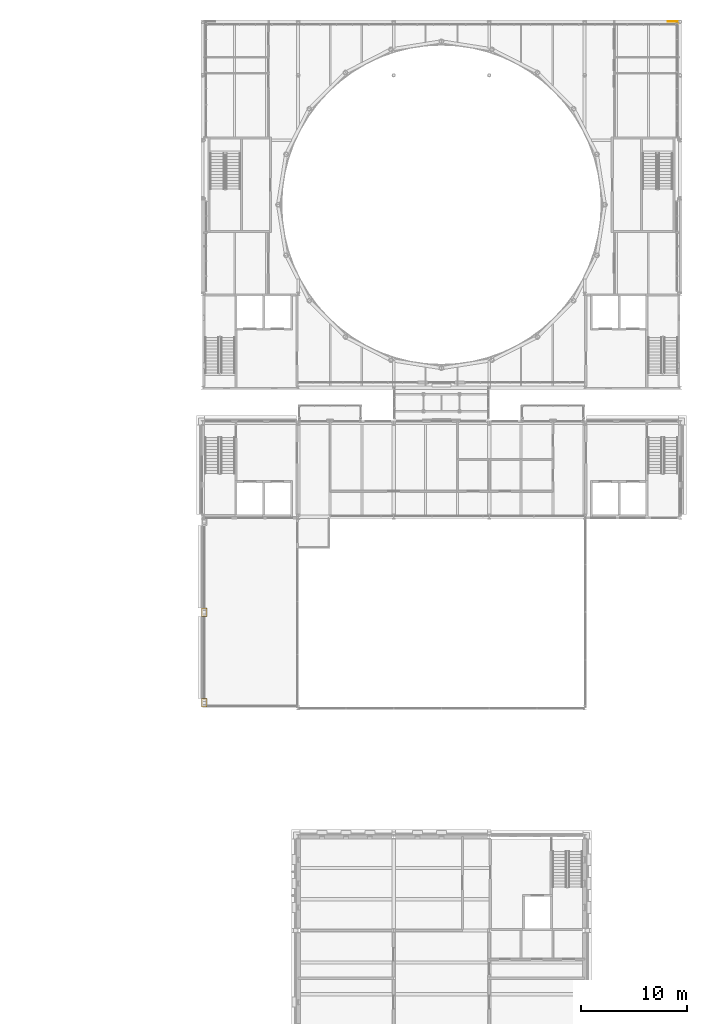
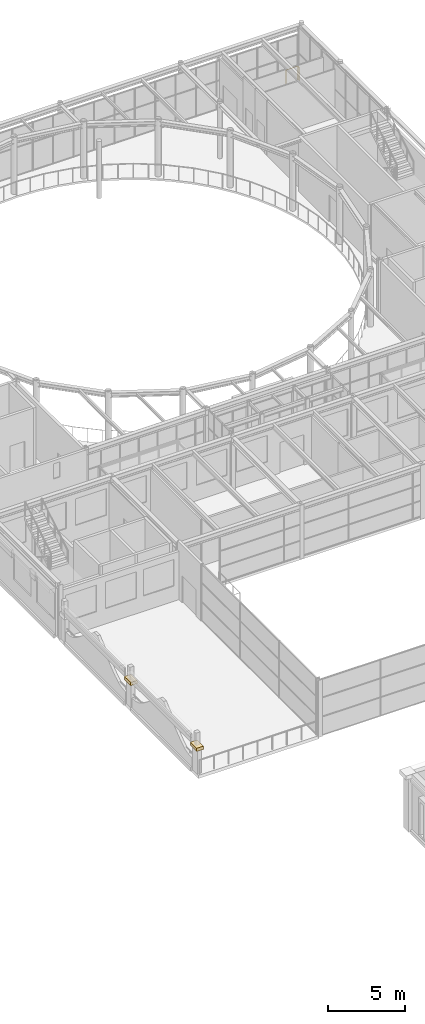
# One storey, part 69 of 70: 2 coverings, 1 railing.
"""IFC4 building model written with IfcOpenShell, lengths in metres."""

from ifc_helpers import new_model, si_unit, direction, frame, origin, origin_2d, place, context, subcontext, project, spatial, rectangle, circle, extrude, material, layer, layer_set, type_object, element, save


model = new_model("IFC4")

# Units and contexts
model_context = context("Model", 3, precision=1e-05, world=origin(), true_north=direction((0.0, 1.0)))
body_context = subcontext(model_context, "Body", "Model", "MODEL_VIEW")
ifc_project = project(units=[si_unit("LENGTHUNIT", "METRE"), si_unit("AREAUNIT", "SQUARE_METRE"), si_unit("VOLUMEUNIT", "CUBIC_METRE"), si_unit("PLANEANGLEUNIT", "RADIAN"), si_unit("MASSUNIT", "GRAM", prefix="KILO")], contexts=[model_context])

# Site, building, storey
site_placement = place(None, origin())
site = spatial("IfcSite", under=ifc_project, at=site_placement, CompositionType="ELEMENT")
building_placement = place(site_placement, origin())
building = spatial("IfcBuilding", under=site, at=building_placement, Name="Kallimachos Central Library", CompositionType="ELEMENT")
storey_placement = place(building_placement, frame((0.0, 0.0, 18.89990234375)))
storey = spatial("IfcBuildingStorey", under=building, at=storey_placement, Name="L04", CompositionType="ELEMENT", Elevation=18.89990234375)

# Coverings
ifc_material_1 = material(Name="Pentelic marble pinnacle cap", Category="masonry")
ifc_layer = layer(ifc_material_1, 0.800048828125)
ifc_layer_set = layer_set([ifc_layer], Name="Stone pinnacle cap 800")
covering_type = type_object("IfcCoveringType", Name="Stone pinnacle cap 800", PredefinedType="MOLDING", material=ifc_layer_set)
for number, where, z_axis, x_axis, name in (
    (1, (65.64990234375, 57.449951171875, 1.900146484375), (0.0, 0.0, 1.0), (1.0, 0.0, 0.0), "West wing roof edge pinnacle 1 cap"),
    (2, (65.64990234375, 66.0, 1.900146484375), (0.0, 0.0, 1.0), (1.0, 0.0, 0.0), "West wing roof edge pinnacle 2 cap"),
):
    element("IfcCovering", number, at=place(storey_placement, frame(where, z_axis=z_axis, x_axis=x_axis)), inside=storey, type_object=covering_type, Name=name, PredefinedType="MOLDING", context=body_context, shape_type="SweptSolid", body=[
        extrude(rectangle(XDim=0.5, YDim=0.800048828125, at=origin_2d()), origin(), (0.0, 0.0, 1.0), 0.25),
    ])

# Railing
ifc_material_2 = material(Name="Wrought iron")
railing_type = type_object("IfcRailingType", Name="Wrought-iron style guard", PredefinedType="GUARDRAIL", material=ifc_material_2)
railing_placement = place(storey_placement, frame((110.25, 121.47998046875, 0.0)))
element("IfcRailing", 3, at=railing_placement, inside=storey, type_object=railing_type, Name="Corner ledge guard", PredefinedType="GUARDRAIL", context=body_context, shape_type="SweptSolid", body=[
    extrude(circle(Radius=0.02392578125, at=origin_2d()), frame((0.0, 0.0, 1.076171875), z_axis=(0.0, 1.0, 0.0), x_axis=(-1.0, 0.0, 0.0)), (0.0, 0.0, 1.0), 0.169921875),
    extrude(circle(Radius=0.02392578125, at=origin_2d()), frame((0.0, 0.169921875, 1.076171875), z_axis=(-1.0, 0.0, 0.0), x_axis=(0.0, -1.0, 0.0)), (0.0, 0.0, 1.0), 0.89990234375),
    extrude(circle(Radius=0.02099609375, at=origin_2d()), origin(), (0.0, 0.0, 1.0), 1.052001953125),
    extrude(circle(Radius=0.02099609375, at=origin_2d()), frame((0.0, 0.169921875, 0.0)), (0.0, 0.0, 1.0), 1.052001953125),
    extrude(circle(Radius=0.02099609375, at=origin_2d()), frame((-0.89990234375, 0.169921875, 0.0)), (0.0, 0.0, 1.0), 1.052001953125),
])

save(model, "model.ifc")
